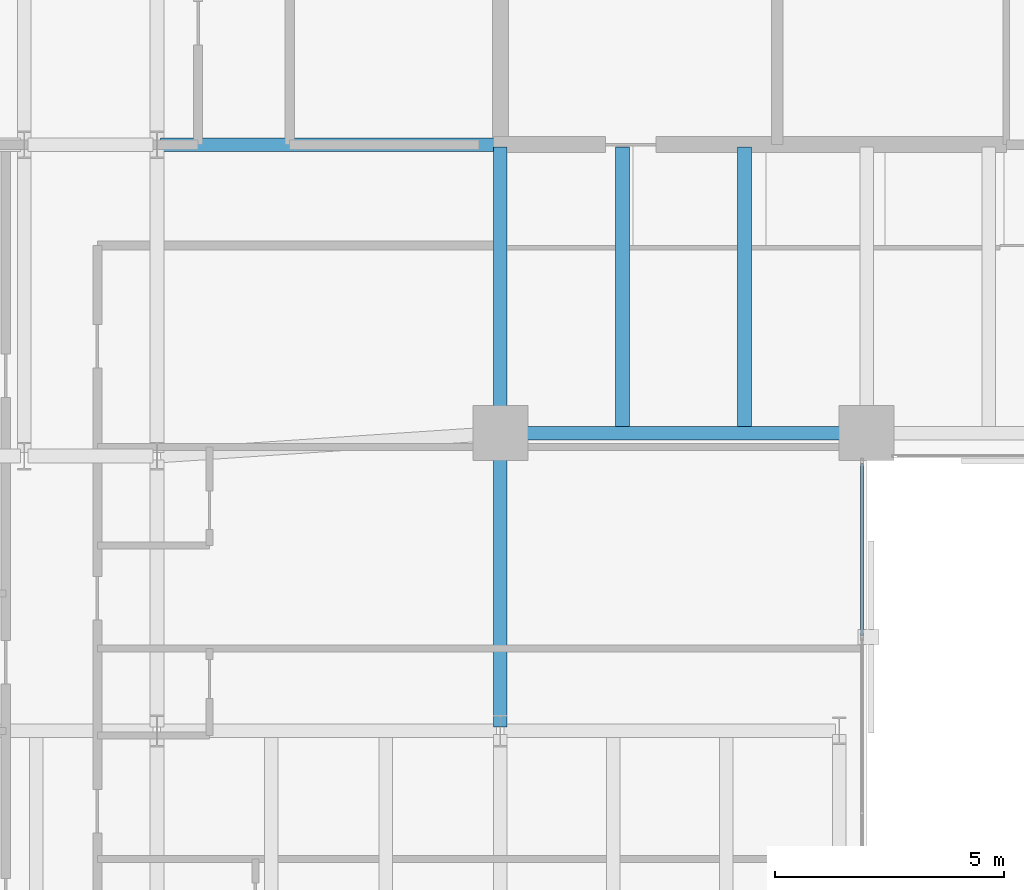
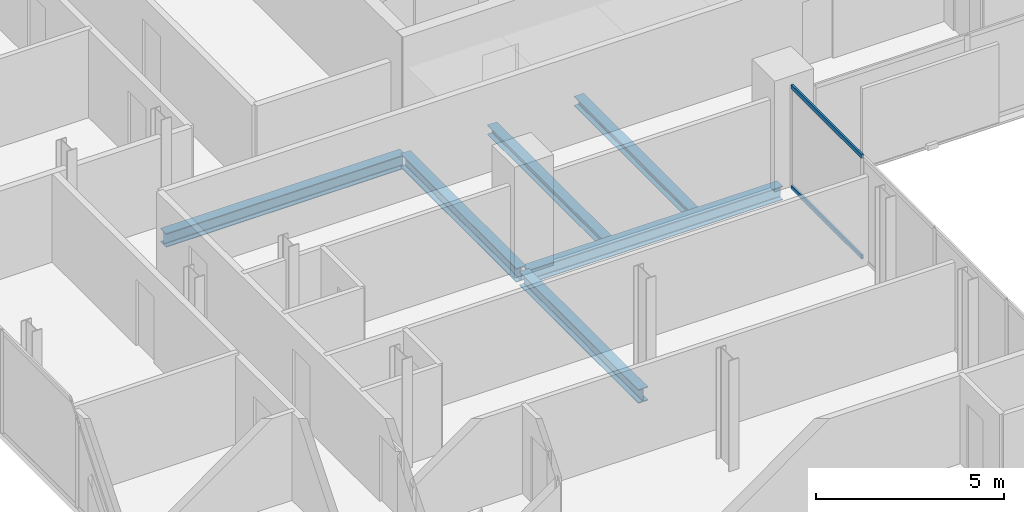
# One storey, part 12 of 32: 6 beams, 2 members, 1 element without a shape of its own.
"""IFC4 building model written with IfcOpenShell, lengths in metres."""

from ifc_helpers import new_model, si_unit, direction, frame, origin, origin_2d, place, context, subcontext, project, spatial, hollow_rectangle, i_section, extrude, material, layer, layer_set, material_profile, profile_set, type_object, element, aggregate, save


model = new_model("IFC4")

# Units and contexts
model_context = context("Model", 3, precision=1e-05, world=origin(), true_north=direction((0.0, 1.0)))
body_context = subcontext(model_context, "Body", "Model", "MODEL_VIEW")
ifc_project = project(units=[si_unit("LENGTHUNIT", "METRE"), si_unit("AREAUNIT", "SQUARE_METRE"), si_unit("VOLUMEUNIT", "CUBIC_METRE"), si_unit("PLANEANGLEUNIT", "RADIAN"), si_unit("MASSUNIT", "GRAM", prefix="KILO")], contexts=[model_context])

# Site, building, storey
site_placement = place(None, origin())
site = spatial("IfcSite", under=ifc_project, at=site_placement, CompositionType="ELEMENT")
building_placement = place(site_placement, origin())
building = spatial("IfcBuilding", under=site, at=building_placement, Name="Catumbela Crestline Tower", CompositionType="ELEMENT")
storey_placement = place(building_placement, frame((0.0, 0.0, 122.4)))
storey = spatial("IfcBuildingStorey", under=building, at=storey_placement, Name="L31", CompositionType="ELEMENT", Elevation=122.4)

# Beams
ifc_material_1 = material(Name="Structural steel S355J2", Category="steel")
ifc_material_profile_1 = material_profile(ifc_material_1, i_section(OverallWidth=0.3, OverallDepth=0.45, WebThickness=0.014, FlangeThickness=0.026, FilletRadius=0.027, at=origin_2d()), Name="HEB 450")
ifc_profile_set_1 = profile_set([ifc_material_profile_1], Name="Structural steel S355J2")
beam_type_1 = type_object("IfcBeamType", Name="BG-HEB450", PredefinedType="BEAM", material=ifc_profile_set_1)
beam_1_placement = place(storey_placement, frame((16.08, 24.5, -0.485), z_axis=(1.0, 0.0, 0.0), x_axis=(0.0, 1.0, 0.0)))
element("IfcBeam", 1, at=beam_1_placement, inside=storey, type_object=beam_type_1, Name="L31 Beam BM-L31-S04", PredefinedType="BEAM", context=body_context, shape_type="SweptSolid", body=[
    extrude(i_section(OverallWidth=0.3, OverallDepth=0.45, WebThickness=0.014, FlangeThickness=0.026, FilletRadius=0.027, at=origin_2d()), origin(), (0.0, 0.0, 1.0), 7.84),
])
beam_2_placement = place(storey_placement, frame((8.58, 30.8, -0.485), z_axis=(1.0, 0.0, 0.0), x_axis=(0.0, 1.0, 0.0)))
element("IfcBeam", 2, at=beam_2_placement, inside=storey, type_object=beam_type_1, Name="L31 Beam BM-L31-M09", PredefinedType="BEAM", context=body_context, shape_type="SweptSolid", body=[
    extrude(i_section(OverallWidth=0.3, OverallDepth=0.45, WebThickness=0.014, FlangeThickness=0.026, FilletRadius=0.027, at=origin_2d()), origin(), (0.0, 0.0, 1.0), 7.37),
])
beam_3_placement = place(storey_placement, frame((16.0, 24.58, -0.485), z_axis=(0.0, 1.0, 0.0), x_axis=(-1.0, 0.0, 0.0)))
element("IfcBeam", 3, at=beam_3_placement, inside=storey, type_object=beam_type_1, Name="L31 Beam BM-L31-SNS28", PredefinedType="BEAM", context=body_context, shape_type="SweptSolid", body=[
    extrude(i_section(OverallWidth=0.3, OverallDepth=0.45, WebThickness=0.014, FlangeThickness=0.026, FilletRadius=0.027, at=origin_2d()), origin(), (0.0, 0.0, 1.0), 6.17),
])
beam_4_placement = place(storey_placement, frame((16.0, 18.08, -0.485), z_axis=(0.0, 1.0, 0.0), x_axis=(-1.0, 0.0, 0.0)))
element("IfcBeam", 4, at=beam_4_placement, inside=storey, type_object=beam_type_1, Name="L31 Beam BM-L31-WNS60", PredefinedType="BEAM", context=body_context, shape_type="SweptSolid", body=[
    extrude(i_section(OverallWidth=0.3, OverallDepth=0.45, WebThickness=0.014, FlangeThickness=0.026, FilletRadius=0.027, at=origin_2d()), origin(), (0.0, 0.0, 1.0), 6.34),
])
ifc_material_profile_2 = material_profile(ifc_material_1, i_section(OverallWidth=0.3, OverallDepth=0.31, WebThickness=0.009, FlangeThickness=0.0155, FilletRadius=0.027, at=origin_2d()), Name="HEA 320")
ifc_profile_set_2 = profile_set([ifc_material_profile_2], Name="Structural steel S355J2")
beam_type_2 = type_object("IfcBeamType", Name="BJ-HEA320", PredefinedType="JOIST", material=ifc_profile_set_2)
for number, where, z_axis, x_axis, name in (
    (5, (18.667, 24.647, -0.415), (0.0, 1.0, 0.0), (-1.0, 0.0, 0.0), "L31 Joist JS-L31-SP37"),
    (6, (21.333, 24.647, -0.415), (0.0, 1.0, 0.0), (-1.0, 0.0, 0.0), "L31 Joist JS-L31-SP38"),
):
    element("IfcBeam", number, at=place(storey_placement, frame(where, z_axis=z_axis, x_axis=x_axis)), inside=storey, type_object=beam_type_2, Name=name, PredefinedType="JOIST", context=body_context, shape_type="SweptSolid", body=[
        extrude(i_section(OverallWidth=0.3, OverallDepth=0.31, WebThickness=0.009, FlangeThickness=0.0155, FilletRadius=0.027, at=origin_2d()), origin(), (0.0, 0.0, 1.0), 6.103),
    ])

# Curtain wall, members
ifc_material_2 = material(Name="Aluminium alloy AW-6060-T66", Category="aluminium")
ifc_layer = layer(ifc_material_2, 0.18, Name="Aluminium alloy AW-6060-T66")
ifc_layer_set = layer_set([ifc_layer], Name="Aluminium alloy AW-6060-T66")
curtain_wall_type = type_object("IfcCurtainWallType", Name="CWU-Z2", PredefinedType="USERDEFINED", material=ifc_layer_set)
curtain_wall_placement = place(storey_placement, origin())
curtain_wall = element("IfcCurtainWall", 7, at=curtain_wall_placement, inside=storey, type_object=curtain_wall_type, Name="L31 Unitised Curtain Wall CW-L31-E2S1", ObjectType="UNITISED", PredefinedType="USERDEFINED")
ifc_material_profile_3 = material_profile(ifc_material_2, hollow_rectangle(XDim=0.06, YDim=0.14, WallThickness=0.004, at=origin_2d()), Name="ALU 140x60x4")
ifc_profile_set_3 = profile_set([ifc_material_profile_3], Name="Aluminium alloy AW-6060-T66")
member_type = type_object("IfcMemberType", Name="TRN-140X60", PredefinedType="USERDEFINED", material=ifc_profile_set_3)
member_1_placement = place(storey_placement, frame((23.9, 20.0825, 0.03), z_axis=(0.0, 1.0, 0.0), x_axis=(-1.0, 0.0, 0.0)))
member_1 = element("IfcMember", 8, at=member_1_placement, type_object=member_type, Name="CWU-Z2 transom 4.1", ObjectType="TRANSOM", PredefinedType="USERDEFINED", context=body_context, shape_type="SweptSolid", body=[
    extrude(hollow_rectangle(XDim=0.06, YDim=0.14, WallThickness=0.004, at=origin_2d()), origin(), (0.0, 0.0, 1.0), 3.7525),
])
member_2_placement = place(storey_placement, frame((23.9, 20.0825, 3.3), z_axis=(0.0, 1.0, 0.0), x_axis=(-1.0, 0.0, 0.0)))
member_2 = element("IfcMember", 9, at=member_2_placement, type_object=member_type, Name="CWU-Z2 transom 4.2", ObjectType="TRANSOM", PredefinedType="USERDEFINED", context=body_context, shape_type="SweptSolid", body=[
    extrude(hollow_rectangle(XDim=0.06, YDim=0.14, WallThickness=0.004, at=origin_2d()), origin(), (0.0, 0.0, 1.0), 3.7525),
])
aggregate(curtain_wall, [member_1, member_2])

save(model, "model.ifc")
